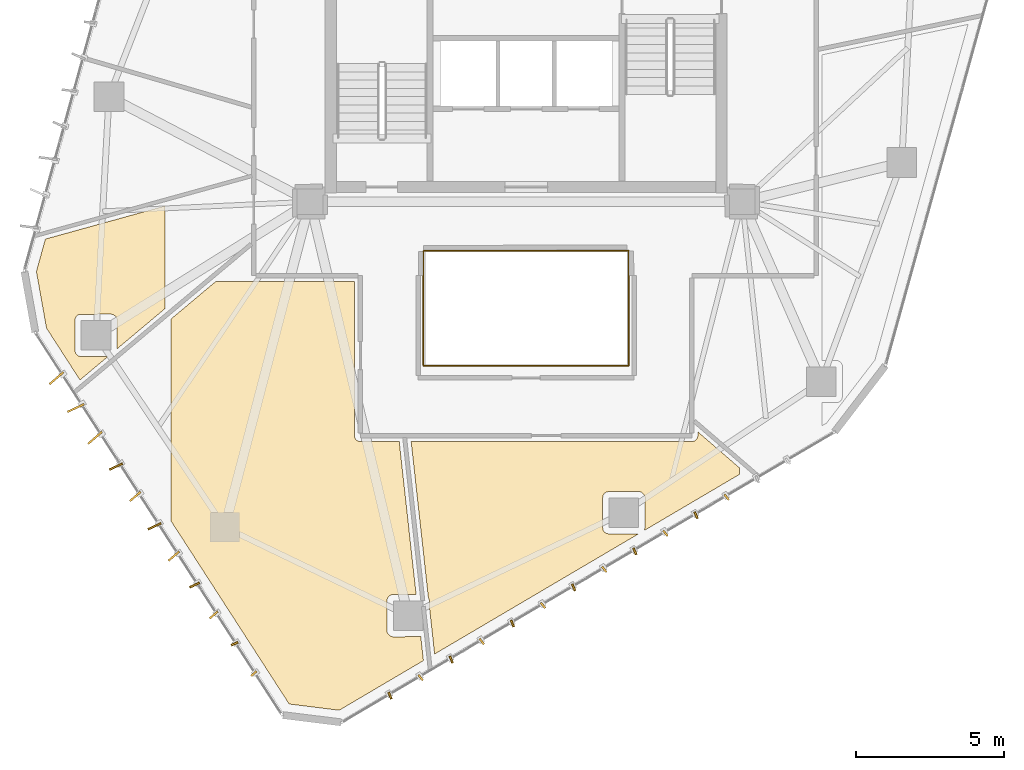
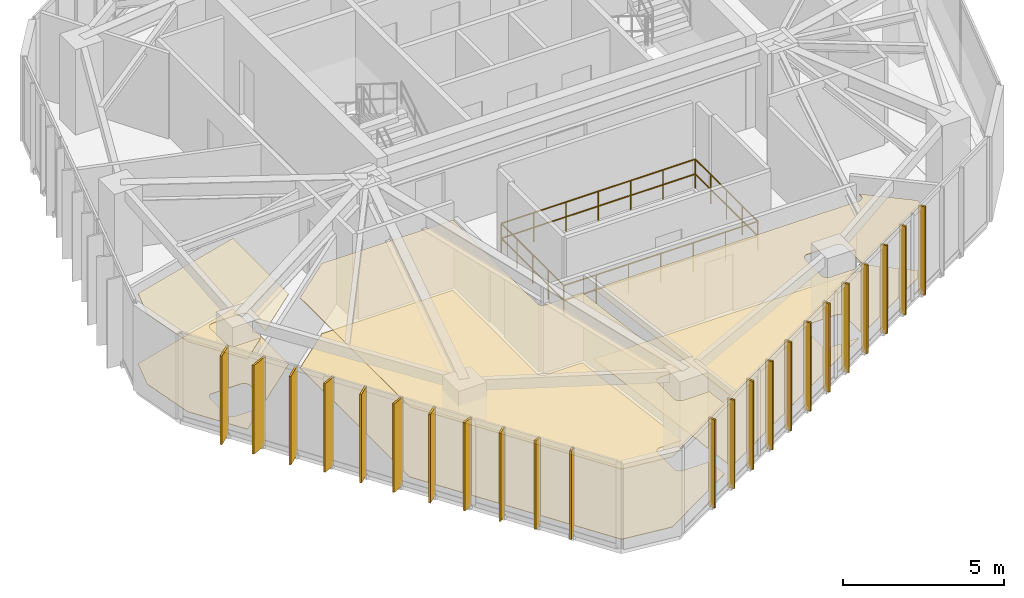
# One storey, part 18 of 19: 23 shading devices, 6 coverings, 4 railings.
"""IFC4 building model written with IfcOpenShell, lengths in metres."""

from ifc_helpers import new_model, si_unit, direction, frame, origin, origin_2d, place, context, subcontext, project, spatial, polyline, rectangle, circle, outline, extrude, source, transform, mapped, material, layer, layer_set, type_object, type_shapes, element, save


model = new_model("IFC4")

# Units and contexts
model_context = context("Model", 3, precision=1e-05, world=origin(), true_north=direction((0.0, 1.0)))
body_context = subcontext(model_context, "Body", "Model", "MODEL_VIEW")
ifc_project = project(units=[si_unit("LENGTHUNIT", "METRE"), si_unit("AREAUNIT", "SQUARE_METRE"), si_unit("VOLUMEUNIT", "CUBIC_METRE"), si_unit("PLANEANGLEUNIT", "RADIAN"), si_unit("MASSUNIT", "GRAM", prefix="KILO")], contexts=[model_context])

# Site, building, storey
site_placement = place(None, origin())
site = spatial("IfcSite", under=ifc_project, at=site_placement, CompositionType="ELEMENT")
building_placement = place(site_placement, origin())
building = spatial("IfcBuilding", under=site, at=building_placement, Name="Talar Marvaseh", CompositionType="ELEMENT")
storey_placement = place(building_placement, frame((0.0, 0.0, 181.0)))
storey = spatial("IfcBuildingStorey", under=building, at=storey_placement, Name="L47", CompositionType="ELEMENT", Elevation=181.0)

# Railings
ifc_material_1 = material(Name="Tempered Clear Glass", Category="glass")
railing_type = type_object("IfcRailingType", Name="Interior Atrium Edge Balustrade 1120", PredefinedType="BALUSTRADE", material=ifc_material_1)
railing_1_placement = place(storey_placement, frame((22.5302734375, 19.9609375, 0.0)))
element("IfcRailing", 1, at=railing_1_placement, inside=storey, type_object=railing_type, Name="L47 Internal Daylight Atrium Balustrade 1", PredefinedType="BALUSTRADE", context=body_context, shape_type="SweptSolid", body=[
    extrude(circle(Radius=0.02392578125, at=origin_2d()), frame((0.0, 0.0, 1.09619140625), z_axis=(1.0, 0.0, 0.0), x_axis=(0.0, 1.0, 0.0)), (0.0, 0.0, 1.0), 6.939453125),
    extrude(circle(Radius=0.02392578125, at=origin_2d()), frame((0.0, 0.0, 0.5361328125), z_axis=(1.0, 0.0, 0.0), x_axis=(0.0, 1.0, 0.0)), (0.0, 0.0, 1.0), 6.939453125),
    extrude(circle(Radius=0.02099609375, at=origin_2d()), origin(), (0.0, 0.0, 1.0), 1.072021484375),
    extrude(circle(Radius=0.02099609375, at=origin_2d()), frame((1.156494140625, 0.0, 0.0)), (0.0, 0.0, 1.0), 1.072021484375),
    extrude(circle(Radius=0.02099609375, at=origin_2d()), frame((2.313232421875, 0.0, 0.0)), (0.0, 0.0, 1.0), 1.072021484375),
    extrude(circle(Radius=0.02099609375, at=origin_2d()), frame((3.4697265625, 0.0, 0.0)), (0.0, 0.0, 1.0), 1.072021484375),
    extrude(circle(Radius=0.02099609375, at=origin_2d()), frame((4.626220703125, 0.0, 0.0)), (0.0, 0.0, 1.0), 1.072021484375),
    extrude(circle(Radius=0.02099609375, at=origin_2d()), frame((5.782958984375, 0.0, 0.0)), (0.0, 0.0, 1.0), 1.072021484375),
    extrude(circle(Radius=0.02099609375, at=origin_2d()), frame((6.939453125, 0.0, 0.0)), (0.0, 0.0, 1.0), 1.072021484375),
])
railing_2_placement = place(storey_placement, frame((29.4697265625, 19.9609375, 0.0)))
element("IfcRailing", 2, at=railing_2_placement, inside=storey, type_object=railing_type, Name="L47 Internal Daylight Atrium Balustrade 2", PredefinedType="BALUSTRADE", context=body_context, shape_type="SweptSolid", body=[
    extrude(circle(Radius=0.02392578125, at=origin_2d()), frame((0.0, 0.0, 1.09619140625), z_axis=(0.0, 1.0, 0.0), x_axis=(-1.0, 0.0, 0.0)), (0.0, 0.0, 1.0), 3.878173828125),
    extrude(circle(Radius=0.02392578125, at=origin_2d()), frame((0.0, 0.0, 0.5361328125), z_axis=(0.0, 1.0, 0.0), x_axis=(-1.0, 0.0, 0.0)), (0.0, 0.0, 1.0), 3.878173828125),
    extrude(circle(Radius=0.02099609375, at=origin_2d()), origin(), (0.0, 0.0, 1.0), 1.072021484375),
    extrude(circle(Radius=0.02099609375, at=origin_2d()), frame((0.0, 0.969482421875, 0.0)), (0.0, 0.0, 1.0), 1.072021484375),
    extrude(circle(Radius=0.02099609375, at=origin_2d()), frame((0.0, 1.93896484375, 0.0)), (0.0, 0.0, 1.0), 1.072021484375),
    extrude(circle(Radius=0.02099609375, at=origin_2d()), frame((0.0, 2.90869140625, 0.0)), (0.0, 0.0, 1.0), 1.072021484375),
    extrude(circle(Radius=0.02099609375, at=origin_2d()), frame((0.0, 3.878173828125, 0.0)), (0.0, 0.0, 1.0), 1.072021484375),
])
railing_3_placement = place(storey_placement, frame((29.4697265625, 23.839111328125, 0.0)))
element("IfcRailing", 3, at=railing_3_placement, inside=storey, type_object=railing_type, Name="L47 Internal Daylight Atrium Balustrade 3", PredefinedType="BALUSTRADE", context=body_context, shape_type="SweptSolid", body=[
    extrude(circle(Radius=0.02392578125, at=origin_2d()), frame((0.0, 0.0, 1.09619140625), z_axis=(-1.0, 0.0, 0.0), x_axis=(0.0, -1.0, 0.0)), (0.0, 0.0, 1.0), 6.939453125),
    extrude(circle(Radius=0.02392578125, at=origin_2d()), frame((0.0, 0.0, 0.5361328125), z_axis=(-1.0, 0.0, 0.0), x_axis=(0.0, -1.0, 0.0)), (0.0, 0.0, 1.0), 6.939453125),
    extrude(circle(Radius=0.02099609375, at=origin_2d()), origin(), (0.0, 0.0, 1.0), 1.072021484375),
    extrude(circle(Radius=0.02099609375, at=origin_2d()), frame((-1.156494140625, 0.0, 0.0)), (0.0, 0.0, 1.0), 1.072021484375),
    extrude(circle(Radius=0.02099609375, at=origin_2d()), frame((-2.313232421875, 0.0, 0.0)), (0.0, 0.0, 1.0), 1.072021484375),
    extrude(circle(Radius=0.02099609375, at=origin_2d()), frame((-3.4697265625, 0.0, 0.0)), (0.0, 0.0, 1.0), 1.072021484375),
    extrude(circle(Radius=0.02099609375, at=origin_2d()), frame((-4.626220703125, 0.0, 0.0)), (0.0, 0.0, 1.0), 1.072021484375),
    extrude(circle(Radius=0.02099609375, at=origin_2d()), frame((-5.782958984375, 0.0, 0.0)), (0.0, 0.0, 1.0), 1.072021484375),
    extrude(circle(Radius=0.02099609375, at=origin_2d()), frame((-6.939453125, 0.0, 0.0)), (0.0, 0.0, 1.0), 1.072021484375),
])
railing_4_placement = place(storey_placement, frame((22.5302734375, 23.839111328125, 0.0)))
element("IfcRailing", 4, at=railing_4_placement, inside=storey, type_object=railing_type, Name="L47 Internal Daylight Atrium Balustrade 4", PredefinedType="BALUSTRADE", context=body_context, shape_type="SweptSolid", body=[
    extrude(circle(Radius=0.02392578125, at=origin_2d()), frame((0.0, 0.0, 1.09619140625), z_axis=(0.0, -1.0, 0.0), x_axis=(1.0, 0.0, 0.0)), (0.0, 0.0, 1.0), 3.878173828125),
    extrude(circle(Radius=0.02392578125, at=origin_2d()), frame((0.0, 0.0, 0.5361328125), z_axis=(0.0, -1.0, 0.0), x_axis=(1.0, 0.0, 0.0)), (0.0, 0.0, 1.0), 3.878173828125),
    extrude(circle(Radius=0.02099609375, at=origin_2d()), origin(), (0.0, 0.0, 1.0), 1.072021484375),
    extrude(circle(Radius=0.02099609375, at=origin_2d()), frame((0.0, -0.969482421875, 0.0)), (0.0, 0.0, 1.0), 1.072021484375),
    extrude(circle(Radius=0.02099609375, at=origin_2d()), frame((0.0, -1.93896484375, 0.0)), (0.0, 0.0, 1.0), 1.072021484375),
    extrude(circle(Radius=0.02099609375, at=origin_2d()), frame((0.0, -2.90869140625, 0.0)), (0.0, 0.0, 1.0), 1.072021484375),
    extrude(circle(Radius=0.02099609375, at=origin_2d()), frame((0.0, -3.878173828125, 0.0)), (0.0, 0.0, 1.0), 1.072021484375),
])

# Coverings
ifc_material_2 = material(Name="Mineral Fibre Acoustic Ceiling")
ifc_layer_1 = layer(ifc_material_2, 0.02490234375)
ifc_layer_set_1 = layer_set([ifc_layer_1], Name="Mineral Fibre Acoustic Ceiling")
covering_type_1 = type_object("IfcCoveringType", Name="Perforated Mineral Fibre Acoustic Suspended Ceiling", PredefinedType="CEILING", material=ifc_layer_set_1)
covering_1_placement = place(storey_placement, frame((0.0, 0.0, 2.64990234375)))
element("IfcCovering", 5, at=covering_1_placement, inside=storey, type_object=covering_type_1, Name="L47 Seminar Room Acoustic Ceiling", PredefinedType="CEILING", context=body_context, shape_type="SweptSolid", body=[
    extrude(outline(polyline([(13.800048828125, 25.35546875), (13.800048828125, 21.887451171875), (12.182861328125, 20.530517578125), (12.18701171875, 21.48681640625), (12.18603515625, 21.50537109375), (12.18359375, 21.523681640625), (12.179443359375, 21.5419921875), (12.173583984375, 21.5595703125), (12.166015625, 21.57666015625), (12.156982421875, 21.593017578125), (12.146240234375, 21.6083984375), (12.134521484375, 21.62255859375), (12.12109375, 21.6357421875), (12.106201171875, 21.649169921875), (12.092041015625, 21.660888671875), (12.07666015625, 21.67138671875), (12.060546875, 21.680419921875), (12.043701171875, 21.687744140625), (12.02587890625, 21.693603515625), (12.008056640625, 21.69775390625), (11.989501953125, 21.7001953125), (11.97119140625, 21.700927734375), (10.96044921875, 21.696533203125), (10.94091796875, 21.695556640625), (10.921630859375, 21.692626953125), (10.902587890625, 21.687744140625), (10.88427734375, 21.68115234375), (10.86669921875, 21.672607421875), (10.849853515625, 21.66259765625), (10.833984375, 21.65087890625), (10.819580078125, 21.6376953125), (10.806640625, 21.623291015625), (10.794921875, 21.607421875), (10.784912109375, 21.590576171875), (10.776611328125, 21.572998046875), (10.77001953125, 21.554443359375), (10.76513671875, 21.535400390625), (10.762451171875, 21.51611328125), (10.761474609375, 21.49658203125), (10.761474609375, 20.475341796875), (10.762451171875, 20.455810546875), (10.76513671875, 20.436279296875), (10.77001953125, 20.417236328125), (10.776611328125, 20.39892578125), (10.784912109375, 20.381103515625), (10.795166015625, 20.3642578125), (10.806884765625, 20.348388671875), (10.820068359375, 20.333984375), (10.83447265625, 20.32080078125), (10.850341796875, 20.30908203125), (10.8671875, 20.299072265625), (10.885009765625, 20.29052734375), (10.9033203125, 20.283935546875), (10.92236328125, 20.279296875), (10.94189453125, 20.2763671875), (10.96142578125, 20.275390625), (11.87890625, 20.275390625), (10.929443359375, 19.478759765625), (9.7998046875, 21.228271484375), (9.458251953125, 23.14111328125), (9.760986328125, 24.23779296875), (13.800048828125, 25.35546875)])), origin(), (0.0, 0.0, 1.0), 0.025146484375),
])
covering_2_placement = place(storey_placement, frame((0.0, 0.0, 2.64990234375)))
element("IfcCovering", 6, at=covering_2_placement, inside=storey, type_object=covering_type_1, Name="L47 Rare Books Archive Room Acoustic Ceiling", PredefinedType="CEILING", context=body_context, shape_type="SweptSolid", body=[
    extrude(outline(polyline([(16.800048828125, 22.800048828125), (20.199951171875, 22.800048828125), (20.199951171875, 17.60009765625), (20.200927734375, 17.580322265625), (20.203857421875, 17.56103515625), (20.20849609375, 17.5419921875), (20.215087890625, 17.5234375), (20.2236328125, 17.505615234375), (20.233642578125, 17.489013671875), (20.245361328125, 17.47314453125), (20.258544921875, 17.45849609375), (20.273193359375, 17.4453125), (20.288818359375, 17.43359375), (20.3056640625, 17.423583984375), (20.323486328125, 17.415283203125), (20.341796875, 17.40869140625), (20.361083984375, 17.40380859375), (20.38037109375, 17.40087890625), (20.39990234375, 17.39990234375), (21.714111328125, 17.39990234375), (22.28466796875, 12.23291015625), (21.50341796875, 12.2294921875), (21.48388671875, 12.228515625), (21.464599609375, 12.2255859375), (21.44580078125, 12.220703125), (21.427490234375, 12.214111328125), (21.409912109375, 12.205810546875), (21.39306640625, 12.19580078125), (21.37744140625, 12.18408203125), (21.363037109375, 12.1708984375), (21.349853515625, 12.156494140625), (21.338134765625, 12.140869140625), (21.328125, 12.1240234375), (21.31982421875, 12.1064453125), (21.313232421875, 12.088134765625), (21.308349609375, 12.069091796875), (21.305419921875, 12.0498046875), (21.304443359375, 12.030517578125), (21.30029296875, 11.016845703125), (21.30126953125, 10.997314453125), (21.303955078125, 10.977783203125), (21.30859375, 10.958740234375), (21.315185546875, 10.940185546875), (21.32373046875, 10.92236328125), (21.333740234375, 10.905517578125), (21.345458984375, 10.889404296875), (21.358642578125, 10.875), (21.373291015625, 10.86181640625), (21.387939453125, 10.849609375), (21.40380859375, 10.837890625), (21.420654296875, 10.82763671875), (21.438720703125, 10.819091796875), (21.457275390625, 10.8125), (21.476318359375, 10.807861328125), (21.495849609375, 10.804931640625), (21.515625, 10.803955078125), (22.442138671875, 10.80712890625), (22.53125, 9.998779296875), (19.686767578125, 8.322509765625), (17.996337890625, 8.532470703125), (14.0, 14.72265625), (14.0, 21.532958984375), (15.510009765625, 22.800048828125), (16.800048828125, 22.800048828125)])), origin(), (0.0, 0.0, 1.0), 0.025146484375),
])
covering_3_placement = place(storey_placement, frame((0.0, 0.0, 2.64990234375)))
element("IfcCovering", 7, at=covering_3_placement, inside=storey, type_object=covering_type_1, Name="L47 Colloquium Boardroom Acoustic Ceiling", PredefinedType="CEILING", context=body_context, shape_type="SweptSolid", body=[
    extrude(outline(polyline([(31.60009765625, 17.39990234375), (31.61962890625, 17.40087890625), (31.638916015625, 17.40380859375), (31.658203125, 17.40869140625), (31.676513671875, 17.415283203125), (31.6943359375, 17.423583984375), (31.711181640625, 17.43359375), (31.726806640625, 17.4453125), (31.741455078125, 17.45849609375), (31.754638671875, 17.47314453125), (31.766357421875, 17.489013671875), (31.7763671875, 17.505615234375), (31.784912109375, 17.5234375), (31.79150390625, 17.5419921875), (31.796142578125, 17.56103515625), (31.799072265625, 17.580322265625), (31.800048828125, 17.60009765625), (31.800048828125, 17.727294921875), (33.199951171875, 16.51708984375), (33.199951171875, 16.285400390625), (29.987548828125, 14.392333984375), (29.994140625, 14.40625), (30.000732421875, 14.4248046875), (30.005615234375, 14.443603515625), (30.008544921875, 14.462890625), (30.009521484375, 14.482666015625), (30.013916015625, 15.49462890625), (30.01318359375, 15.51318359375), (30.010498046875, 15.53173828125), (30.00634765625, 15.5498046875), (30.00048828125, 15.567626953125), (29.992919921875, 15.584716796875), (29.98388671875, 15.600830078125), (29.973388671875, 15.6162109375), (29.96142578125, 15.630615234375), (29.9482421875, 15.643798828125), (29.933349609375, 15.6572265625), (29.9189453125, 15.6689453125), (29.90380859375, 15.679443359375), (29.887451171875, 15.688232421875), (29.87060546875, 15.69580078125), (29.85302734375, 15.70166015625), (29.8349609375, 15.705810546875), (29.816650390625, 15.708251953125), (29.798095703125, 15.708984375), (28.78759765625, 15.70458984375), (28.76806640625, 15.70361328125), (28.74853515625, 15.70068359375), (28.729736328125, 15.69580078125), (28.711181640625, 15.689208984375), (28.693603515625, 15.6806640625), (28.6767578125, 15.670654296875), (28.6611328125, 15.658935546875), (28.646728515625, 15.645751953125), (28.633544921875, 15.631103515625), (28.621826171875, 15.615478515625), (28.61181640625, 15.5986328125), (28.603515625, 15.580810546875), (28.596923828125, 15.5625), (28.59228515625, 15.54345703125), (28.58935546875, 15.524169921875), (28.58837890625, 15.504638671875), (28.58837890625, 14.4833984375), (28.58935546875, 14.4638671875), (28.59228515625, 14.4443359375), (28.596923828125, 14.42529296875), (28.603515625, 14.406982421875), (28.612060546875, 14.38916015625), (28.6220703125, 14.372314453125), (28.6337890625, 14.3564453125), (28.64697265625, 14.342041015625), (28.66162109375, 14.328857421875), (28.67724609375, 14.317138671875), (28.694091796875, 14.306884765625), (28.7119140625, 14.298583984375), (28.730224609375, 14.2919921875), (28.74951171875, 14.287109375), (28.768798828125, 14.284423828125), (28.788330078125, 14.283447265625), (29.802490234375, 14.283447265625), (22.9091796875, 10.221435546875), (22.72998046875, 11.844482421875), (22.72998046875, 12.0205078125), (22.728759765625, 12.042236328125), (22.72509765625, 12.0634765625), (22.719482421875, 12.084228515625), (22.71142578125, 12.104248046875), (22.701416015625, 12.123291015625), (22.698486328125, 12.1279296875), (22.116455078125, 17.39990234375), (31.60009765625, 17.39990234375)])), origin(), (0.0, 0.0, 1.0), 0.025146484375),
])
ifc_material_3 = material(Name="Porcelain Stoneware Tile", Category="masonry")
ifc_layer_2 = layer(ifc_material_3, 0.02001953125)
ifc_layer_set_2 = layer_set([ifc_layer_2], Name="Porcelain Stoneware Tile")
covering_type_2 = type_object("IfcCoveringType", Name="Polished Porcelain Stoneware Gallery Flooring", PredefinedType="FLOORING", material=ifc_layer_set_2)
covering_4_placement = place(storey_placement, origin())
element("IfcCovering", 8, at=covering_4_placement, inside=storey, type_object=covering_type_2, Name="L47 Seminar Room Flooring", PredefinedType="FLOORING", context=body_context, shape_type="SweptSolid", body=[
    extrude(outline(polyline([(13.800048828125, 25.35546875), (13.800048828125, 21.887451171875), (12.182861328125, 20.530517578125), (12.18701171875, 21.48681640625), (12.18603515625, 21.50537109375), (12.18359375, 21.523681640625), (12.179443359375, 21.5419921875), (12.173583984375, 21.5595703125), (12.166015625, 21.57666015625), (12.156982421875, 21.593017578125), (12.146240234375, 21.6083984375), (12.134521484375, 21.62255859375), (12.12109375, 21.6357421875), (12.106201171875, 21.649169921875), (12.092041015625, 21.660888671875), (12.07666015625, 21.67138671875), (12.060546875, 21.680419921875), (12.043701171875, 21.687744140625), (12.02587890625, 21.693603515625), (12.008056640625, 21.69775390625), (11.989501953125, 21.7001953125), (11.97119140625, 21.700927734375), (10.96044921875, 21.696533203125), (10.94091796875, 21.695556640625), (10.921630859375, 21.692626953125), (10.902587890625, 21.687744140625), (10.88427734375, 21.68115234375), (10.86669921875, 21.672607421875), (10.849853515625, 21.66259765625), (10.833984375, 21.65087890625), (10.819580078125, 21.6376953125), (10.806640625, 21.623291015625), (10.794921875, 21.607421875), (10.784912109375, 21.590576171875), (10.776611328125, 21.572998046875), (10.77001953125, 21.554443359375), (10.76513671875, 21.535400390625), (10.762451171875, 21.51611328125), (10.761474609375, 21.49658203125), (10.761474609375, 20.475341796875), (10.762451171875, 20.455810546875), (10.76513671875, 20.436279296875), (10.77001953125, 20.417236328125), (10.776611328125, 20.39892578125), (10.784912109375, 20.381103515625), (10.795166015625, 20.3642578125), (10.806884765625, 20.348388671875), (10.820068359375, 20.333984375), (10.83447265625, 20.32080078125), (10.850341796875, 20.30908203125), (10.8671875, 20.299072265625), (10.885009765625, 20.29052734375), (10.9033203125, 20.283935546875), (10.92236328125, 20.279296875), (10.94189453125, 20.2763671875), (10.96142578125, 20.275390625), (11.87890625, 20.275390625), (10.929443359375, 19.478759765625), (9.7998046875, 21.228271484375), (9.458251953125, 23.14111328125), (9.760986328125, 24.23779296875), (13.800048828125, 25.35546875)])), origin(), (0.0, 0.0, 1.0), 0.02001953125),
])
covering_5_placement = place(storey_placement, origin())
element("IfcCovering", 9, at=covering_5_placement, inside=storey, type_object=covering_type_2, Name="L47 Rare Books Archive Room Flooring", PredefinedType="FLOORING", context=body_context, shape_type="SweptSolid", body=[
    extrude(outline(polyline([(16.800048828125, 22.800048828125), (20.199951171875, 22.800048828125), (20.199951171875, 17.60009765625), (20.200927734375, 17.580322265625), (20.203857421875, 17.56103515625), (20.20849609375, 17.5419921875), (20.215087890625, 17.5234375), (20.2236328125, 17.505615234375), (20.233642578125, 17.489013671875), (20.245361328125, 17.47314453125), (20.258544921875, 17.45849609375), (20.273193359375, 17.4453125), (20.288818359375, 17.43359375), (20.3056640625, 17.423583984375), (20.323486328125, 17.415283203125), (20.341796875, 17.40869140625), (20.361083984375, 17.40380859375), (20.38037109375, 17.40087890625), (20.39990234375, 17.39990234375), (21.714111328125, 17.39990234375), (22.28466796875, 12.23291015625), (21.50341796875, 12.2294921875), (21.48388671875, 12.228515625), (21.464599609375, 12.2255859375), (21.44580078125, 12.220703125), (21.427490234375, 12.214111328125), (21.409912109375, 12.205810546875), (21.39306640625, 12.19580078125), (21.37744140625, 12.18408203125), (21.363037109375, 12.1708984375), (21.349853515625, 12.156494140625), (21.338134765625, 12.140869140625), (21.328125, 12.1240234375), (21.31982421875, 12.1064453125), (21.313232421875, 12.088134765625), (21.308349609375, 12.069091796875), (21.305419921875, 12.0498046875), (21.304443359375, 12.030517578125), (21.30029296875, 11.016845703125), (21.30126953125, 10.997314453125), (21.303955078125, 10.977783203125), (21.30859375, 10.958740234375), (21.315185546875, 10.940185546875), (21.32373046875, 10.92236328125), (21.333740234375, 10.905517578125), (21.345458984375, 10.889404296875), (21.358642578125, 10.875), (21.373291015625, 10.86181640625), (21.387939453125, 10.849609375), (21.40380859375, 10.837890625), (21.420654296875, 10.82763671875), (21.438720703125, 10.819091796875), (21.457275390625, 10.8125), (21.476318359375, 10.807861328125), (21.495849609375, 10.804931640625), (21.515625, 10.803955078125), (22.442138671875, 10.80712890625), (22.53125, 9.998779296875), (19.686767578125, 8.322509765625), (17.996337890625, 8.532470703125), (14.0, 14.72265625), (14.0, 21.532958984375), (15.510009765625, 22.800048828125), (16.800048828125, 22.800048828125)])), origin(), (0.0, 0.0, 1.0), 0.02001953125),
])
covering_6_placement = place(storey_placement, origin())
element("IfcCovering", 10, at=covering_6_placement, inside=storey, type_object=covering_type_2, Name="L47 Colloquium Boardroom Flooring", PredefinedType="FLOORING", context=body_context, shape_type="SweptSolid", body=[
    extrude(outline(polyline([(31.60009765625, 17.39990234375), (31.61962890625, 17.40087890625), (31.638916015625, 17.40380859375), (31.658203125, 17.40869140625), (31.676513671875, 17.415283203125), (31.6943359375, 17.423583984375), (31.711181640625, 17.43359375), (31.726806640625, 17.4453125), (31.741455078125, 17.45849609375), (31.754638671875, 17.47314453125), (31.766357421875, 17.489013671875), (31.7763671875, 17.505615234375), (31.784912109375, 17.5234375), (31.79150390625, 17.5419921875), (31.796142578125, 17.56103515625), (31.799072265625, 17.580322265625), (31.800048828125, 17.60009765625), (31.800048828125, 17.727294921875), (33.199951171875, 16.51708984375), (33.199951171875, 16.285400390625), (29.987548828125, 14.392333984375), (29.994140625, 14.40625), (30.000732421875, 14.4248046875), (30.005615234375, 14.443603515625), (30.008544921875, 14.462890625), (30.009521484375, 14.482666015625), (30.013916015625, 15.49462890625), (30.01318359375, 15.51318359375), (30.010498046875, 15.53173828125), (30.00634765625, 15.5498046875), (30.00048828125, 15.567626953125), (29.992919921875, 15.584716796875), (29.98388671875, 15.600830078125), (29.973388671875, 15.6162109375), (29.96142578125, 15.630615234375), (29.9482421875, 15.643798828125), (29.933349609375, 15.6572265625), (29.9189453125, 15.6689453125), (29.90380859375, 15.679443359375), (29.887451171875, 15.688232421875), (29.87060546875, 15.69580078125), (29.85302734375, 15.70166015625), (29.8349609375, 15.705810546875), (29.816650390625, 15.708251953125), (29.798095703125, 15.708984375), (28.78759765625, 15.70458984375), (28.76806640625, 15.70361328125), (28.74853515625, 15.70068359375), (28.729736328125, 15.69580078125), (28.711181640625, 15.689208984375), (28.693603515625, 15.6806640625), (28.6767578125, 15.670654296875), (28.6611328125, 15.658935546875), (28.646728515625, 15.645751953125), (28.633544921875, 15.631103515625), (28.621826171875, 15.615478515625), (28.61181640625, 15.5986328125), (28.603515625, 15.580810546875), (28.596923828125, 15.5625), (28.59228515625, 15.54345703125), (28.58935546875, 15.524169921875), (28.58837890625, 15.504638671875), (28.58837890625, 14.4833984375), (28.58935546875, 14.4638671875), (28.59228515625, 14.4443359375), (28.596923828125, 14.42529296875), (28.603515625, 14.406982421875), (28.612060546875, 14.38916015625), (28.6220703125, 14.372314453125), (28.6337890625, 14.3564453125), (28.64697265625, 14.342041015625), (28.66162109375, 14.328857421875), (28.67724609375, 14.317138671875), (28.694091796875, 14.306884765625), (28.7119140625, 14.298583984375), (28.730224609375, 14.2919921875), (28.74951171875, 14.287109375), (28.768798828125, 14.284423828125), (28.788330078125, 14.283447265625), (29.802490234375, 14.283447265625), (22.9091796875, 10.221435546875), (22.72998046875, 11.844482421875), (22.72998046875, 12.0205078125), (22.728759765625, 12.042236328125), (22.72509765625, 12.0634765625), (22.719482421875, 12.084228515625), (22.71142578125, 12.104248046875), (22.701416015625, 12.123291015625), (22.698486328125, 12.1279296875), (22.116455078125, 17.39990234375), (31.60009765625, 17.39990234375)])), origin(), (0.0, 0.0, 1.0), 0.02001953125),
])

# Shading devices
ifc_material_4 = material(Name="Anodised Champagne Bronze Aluminium", Category="aluminium")
ifc_layer_3 = layer(ifc_material_4, 0.06494140625)
ifc_layer_set_3 = layer_set([ifc_layer_3], Name="Anodised Champagne Bronze Aluminium")
shading_device_type_1 = type_object("IfcShadingDeviceType", Name="Sawtooth Champagne Bronze Vertical Fin 240", PredefinedType="USERDEFINED", material=ifc_layer_set_3)
shared_shape_1 = source(origin(), body_context, "Body", "SweptSolid", [
    extrude(rectangle(XDim=0.239990234375, YDim=0.06494140625, at=origin_2d()), origin(), (0.0, 0.0, 1.0), 3.35009765625),
])
type_shapes(shading_device_type_1, [shared_shape_1])
for number, where, z_axis, x_axis, name in (
    (11, (16.80322265625, 9.560302734375, -0.1201171875), (0.0, 0.0, 1.0), (-0.756424550435, -0.654080957909, 0.0), "L47 Sawtooth Vertical Solar Fin"),
    (12, (16.15234375, 10.568359375, -0.1201171875), (0.0, 0.0, 1.0), (-0.907411091929, -0.420244107924, 0.0), "L47 Sawtooth Vertical Solar Fin"),
    (13, (32.774169921875, 15.517822265625, -0.1201171875), (0.0, 0.0, 1.0), (0.622651218046, -0.782499495633, 0.0), "L47 Sawtooth Vertical Solar Fin"),
    (14, (31.740234375, 14.90869140625, -0.1201171875), (0.0, 0.0, 1.0), (0.382844673933, -0.923812727581, 0.0), "L47 Sawtooth Vertical Solar Fin"),
    (15, (30.706298828125, 14.299560546875, -0.1201171875), (0.0, 0.0, 1.0), (0.622651218046, -0.782499495633, 0.0), "L47 Sawtooth Vertical Solar Fin"),
    (16, (29.672607421875, 13.690185546875, -0.1201171875), (0.0, 0.0, 1.0), (0.382844673933, -0.923812727581, 0.0), "L47 Sawtooth Vertical Solar Fin"),
    (17, (28.638671875, 13.0810546875, -0.1201171875), (0.0, 0.0, 1.0), (0.622651218046, -0.782499495633, 0.0), "L47 Sawtooth Vertical Solar Fin"),
    (18, (27.604736328125, 12.471923828125, -0.1201171875), (0.0, 0.0, 1.0), (0.382844673933, -0.923812727581, 0.0), "L47 Sawtooth Vertical Solar Fin"),
    (19, (26.571044921875, 11.86279296875, -0.1201171875), (0.0, 0.0, 1.0), (0.622651218046, -0.782499495633, 0.0), "L47 Sawtooth Vertical Solar Fin"),
    (20, (25.537109375, 11.25341796875, -0.1201171875), (0.0, 0.0, 1.0), (0.382844673933, -0.923812727581, 0.0), "L47 Sawtooth Vertical Solar Fin"),
    (21, (24.503173828125, 10.644287109375, -0.1201171875), (0.0, 0.0, 1.0), (0.622651218046, -0.782499495633, 0.0), "L47 Sawtooth Vertical Solar Fin"),
    (22, (23.469482421875, 10.034912109375, -0.1201171875), (0.0, 0.0, 1.0), (0.382844673933, -0.923812727581, 0.0), "L47 Sawtooth Vertical Solar Fin"),
    (23, (22.435546875, 9.42578125, -0.1201171875), (0.0, 0.0, 1.0), (0.622651218046, -0.782499495633, 0.0), "L47 Sawtooth Vertical Solar Fin"),
    (24, (21.401611328125, 8.816650390625, -0.1201171875), (0.0, 0.0, 1.0), (0.382844673933, -0.923812727581, 0.0), "L47 Sawtooth Vertical Solar Fin"),
):
    element("IfcShadingDevice", number, at=place(storey_placement, frame(where, z_axis=z_axis, x_axis=x_axis)), inside=storey, type_object=shading_device_type_1, Name=name, ObjectType="FIN", PredefinedType="USERDEFINED", context=body_context, shape_type="MappedRepresentation", body=[
        mapped(shared_shape_1, transform((0.0, 0.0, 0.0), x_axis=(1.0, 0.0, 0.0), y_axis=(0.0, 1.0, 0.0), z_axis=(0.0, 0.0, 1.0), scale=1.0)),
    ])
ifc_layer_4 = layer(ifc_material_4, 0.06494140625)
ifc_layer_set_4 = layer_set([ifc_layer_4], Name="Anodised Champagne Bronze Aluminium")
shading_device_type_2 = type_object("IfcShadingDeviceType", Name="Sawtooth Champagne Bronze Vertical Fin 360", PredefinedType="USERDEFINED", material=ifc_layer_set_4)
shared_shape_2 = source(origin(), body_context, "Body", "SweptSolid", [
    extrude(rectangle(XDim=0.360107421875, YDim=0.06494140625, at=origin_2d()), origin(), (0.0, 0.0, 1.0), 3.35009765625),
])
type_shapes(shading_device_type_2, [shared_shape_2])
for number, where, z_axis, x_axis, name in (
    (25, (15.450927734375, 11.5439453125, -0.1201171875), (0.0, 0.0, 1.0), (-0.756424550435, -0.654080957909, 0.0), "L47 Sawtooth Vertical Solar Fin"),
    (26, (14.80029296875, 12.552001953125, -0.1201171875), (0.0, 0.0, 1.0), (-0.907411091929, -0.420244107924, 0.0), "L47 Sawtooth Vertical Solar Fin"),
):
    element("IfcShadingDevice", number, at=place(storey_placement, frame(where, z_axis=z_axis, x_axis=x_axis)), inside=storey, type_object=shading_device_type_2, Name=name, ObjectType="FIN", PredefinedType="USERDEFINED", context=body_context, shape_type="MappedRepresentation", body=[
        mapped(shared_shape_2, transform((0.0, 0.0, 0.0), x_axis=(1.0, 0.0, 0.0), y_axis=(0.0, 1.0, 0.0), z_axis=(0.0, 0.0, 1.0), scale=1.0)),
    ])
ifc_layer_5 = layer(ifc_material_4, 0.06494140625)
ifc_layer_set_5 = layer_set([ifc_layer_5], Name="Anodised Champagne Bronze Aluminium")
shading_device_type_3 = type_object("IfcShadingDeviceType", Name="Sawtooth Champagne Bronze Vertical Fin 480", PredefinedType="USERDEFINED", material=ifc_layer_set_5)
shared_shape_3 = source(origin(), body_context, "Body", "SweptSolid", [
    extrude(rectangle(XDim=0.47998046875, YDim=0.06494140625, at=origin_2d()), origin(), (0.0, 0.0, 1.0), 3.35009765625),
])
type_shapes(shading_device_type_3, [shared_shape_3])
for number, where, z_axis, x_axis, name in (
    (27, (14.098876953125, 13.527587890625, -0.1201171875), (0.0, 0.0, 1.0), (-0.756424550435, -0.654080957909, 0.0), "L47 Sawtooth Vertical Solar Fin"),
    (28, (13.447998046875, 14.535888671875, -0.1201171875), (0.0, 0.0, 1.0), (-0.907411091929, -0.420244107924, 0.0), "L47 Sawtooth Vertical Solar Fin"),
    (29, (12.797119140625, 15.5439453125, -0.1201171875), (0.0, 0.0, 1.0), (-0.756424550435, -0.654080957909, 0.0), "L47 Sawtooth Vertical Solar Fin"),
    (30, (12.146240234375, 16.55224609375, -0.1201171875), (0.0, 0.0, 1.0), (-0.907411091929, -0.420244107924, 0.0), "L47 Sawtooth Vertical Solar Fin"),
):
    element("IfcShadingDevice", number, at=place(storey_placement, frame(where, z_axis=z_axis, x_axis=x_axis)), inside=storey, type_object=shading_device_type_3, Name=name, ObjectType="FIN", PredefinedType="USERDEFINED", context=body_context, shape_type="MappedRepresentation", body=[
        mapped(shared_shape_3, transform((0.0, 0.0, 0.0), x_axis=(1.0, 0.0, 0.0), y_axis=(0.0, 1.0, 0.0), z_axis=(0.0, 0.0, 1.0), scale=1.0)),
    ])
ifc_layer_6 = layer(ifc_material_4, 0.06494140625)
ifc_layer_set_6 = layer_set([ifc_layer_6], Name="Anodised Champagne Bronze Aluminium")
shading_device_type_4 = type_object("IfcShadingDeviceType", Name="Sawtooth Champagne Bronze Vertical Fin 620", PredefinedType="USERDEFINED", material=ifc_layer_set_6)
shared_shape_4 = source(origin(), body_context, "Body", "SweptSolid", [
    extrude(rectangle(XDim=0.6201171875, YDim=0.06494140625, at=origin_2d()), origin(), (0.0, 0.0, 1.0), 3.35009765625),
])
type_shapes(shading_device_type_4, [shared_shape_4])
for number, where, z_axis, x_axis, name in (
    (31, (11.4365234375, 17.5224609375, -0.1201171875), (0.0, 0.0, 1.0), (-0.756424550435, -0.654080957909, 0.0), "L47 Sawtooth Vertical Solar Fin"),
    (32, (10.785888671875, 18.530517578125, -0.1201171875), (0.0, 0.0, 1.0), (-0.907411091929, -0.420244107924, 0.0), "L47 Sawtooth Vertical Solar Fin"),
    (33, (10.135009765625, 19.538818359375, -0.1201171875), (0.0, 0.0, 1.0), (-0.756424550435, -0.654080957909, 0.0), "L47 Sawtooth Vertical Solar Fin"),
):
    element("IfcShadingDevice", number, at=place(storey_placement, frame(where, z_axis=z_axis, x_axis=x_axis)), inside=storey, type_object=shading_device_type_4, Name=name, ObjectType="FIN", PredefinedType="USERDEFINED", context=body_context, shape_type="MappedRepresentation", body=[
        mapped(shared_shape_4, transform((0.0, 0.0, 0.0), x_axis=(1.0, 0.0, 0.0), y_axis=(0.0, 1.0, 0.0), z_axis=(0.0, 0.0, 1.0), scale=1.0)),
    ])

save(model, "model.ifc")
